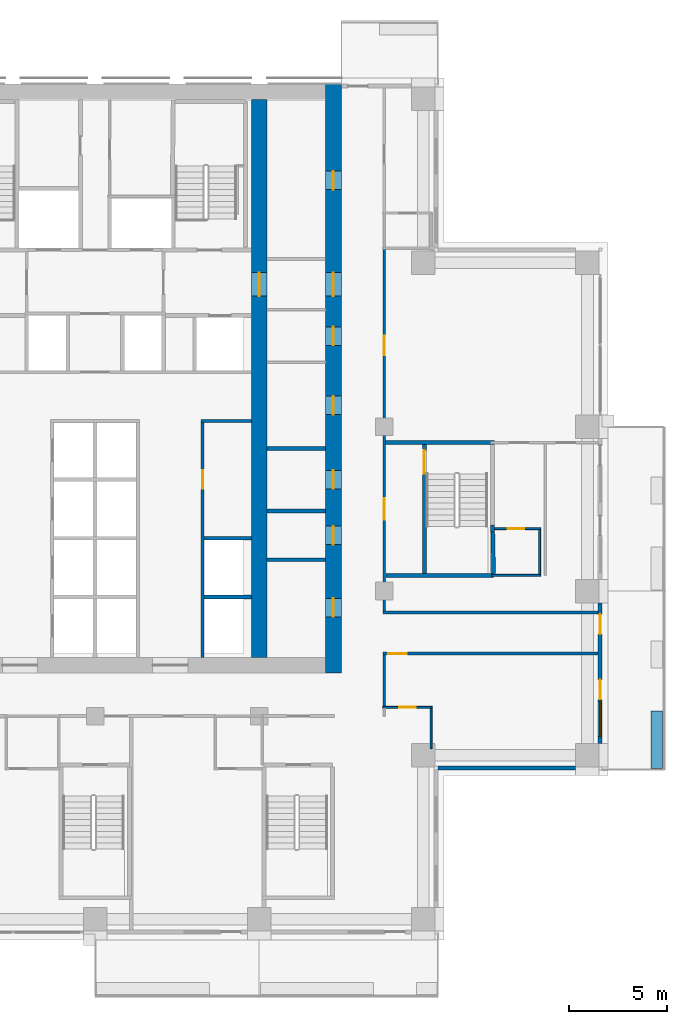
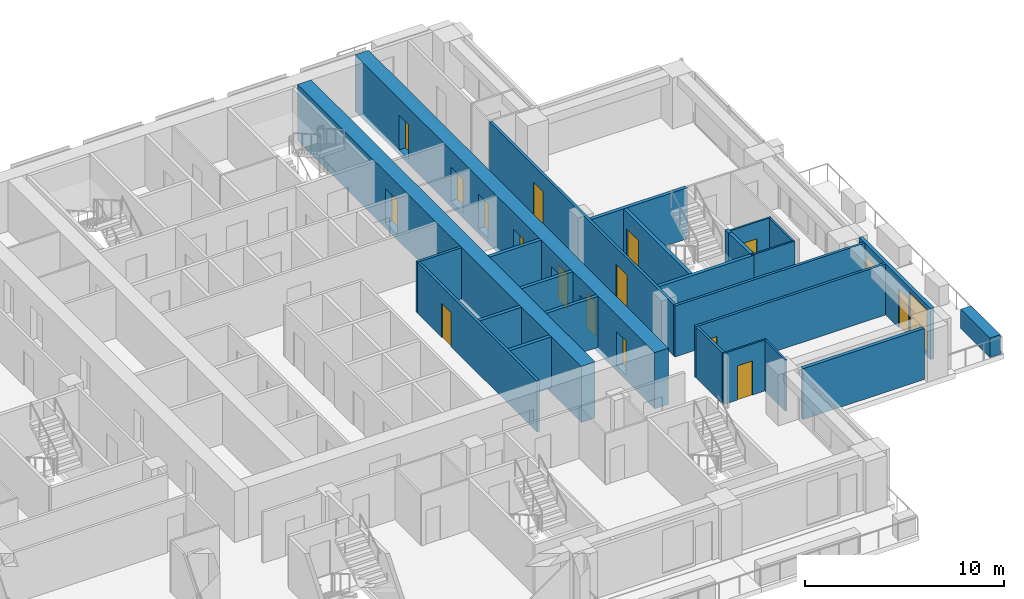
# One storey, part 11 of 18: 26 walls, 17 doors, 1 window, 18 openings.
"""IFC4 building model written with IfcOpenShell, lengths in metres."""

from ifc_helpers import new_model, si_unit, direction, frame, frame_2d, origin, place, context, subcontext, project, spatial, rectangle, extrude, material, layer, layer_set, type_object, element, fill, save


model = new_model("IFC4")

# Units and contexts
model_context = context("Model", 3, precision=1e-05, world=origin(), true_north=direction((0.0, 1.0)))
body_context = subcontext(model_context, "Body", "Model", "MODEL_VIEW")
ifc_project = project(units=[si_unit("LENGTHUNIT", "METRE"), si_unit("AREAUNIT", "SQUARE_METRE"), si_unit("VOLUMEUNIT", "CUBIC_METRE"), si_unit("PLANEANGLEUNIT", "RADIAN"), si_unit("MASSUNIT", "GRAM", prefix="KILO")], contexts=[model_context])

# Site, building, storey
site_placement = place(None, origin())
site = spatial("IfcSite", under=ifc_project, at=site_placement, CompositionType="ELEMENT")
building_placement = place(site_placement, origin())
building = spatial("IfcBuilding", under=site, at=building_placement, Name="Vermilion Ogive Tower", CompositionType="ELEMENT")
storey_placement = place(building_placement, frame((0.0, 0.0, 108.0)))
storey = spatial("IfcBuildingStorey", under=building, at=storey_placement, Name="L27", CompositionType="ELEMENT", Elevation=108.0)

# Wall, openings, doors
ifc_material_1 = material(Name="Concrete B80", Category="concrete")
ifc_layer_1 = layer(ifc_material_1, 0.800048828125)
ifc_layer_set_1 = layer_set([ifc_layer_1], Name="Core wall 800 B80")
wall_type_1 = type_object("IfcWallType", Name="Core wall 800 B80", PredefinedType="SHEAR", material=ifc_layer_set_1)
wall_1_placement = place(storey_placement, frame((12.199951171875, -8.39990234375, -0.320068359375), z_axis=(0.0, 0.0, 1.0), x_axis=(0.0, 1.0, 0.0)))
wall_1 = element("IfcWall", 1, at=wall_1_placement, inside=storey, type_object=wall_type_1, Name="L27-CORE-E", PredefinedType="SHEAR", context=body_context, shape_type="SweptSolid", body=[
    extrude(rectangle(XDim=30.14990234375, YDim=0.800048828125, at=frame_2d((15.074951171875, 0.0))), origin(), (0.0, 0.0, 1.0), 3.449951171875),
])
opening_1_placement = place(wall_1_placement, frame((2.875, 0.0, 0.320068359375)))
opening_1 = element("IfcOpeningElement", 2, at=opening_1_placement, cuts=wall_1, Name="Opening DAC050", PredefinedType="OPENING", context=body_context, shape_type="SweptSolid", body=[
    extrude(rectangle(XDim=0.949951171875, YDim=2.10009765625, at=frame_2d((0.47509765625, 1.050048828125))), frame((0.0, 0.409912109375, 0.0), z_axis=(0.0, -1.0, 0.0), x_axis=(1.0, 0.0, 0.0)), (0.0, 0.0, 1.0), 0.820068359375),
])
opening_2_placement = place(wall_1_placement, frame((6.574951171875, 0.0, 0.320068359375)))
opening_2 = element("IfcOpeningElement", 3, at=opening_2_placement, cuts=wall_1, Name="Opening DAC051", PredefinedType="OPENING", context=body_context, shape_type="SweptSolid", body=[
    extrude(rectangle(XDim=0.949951171875, YDim=2.10009765625, at=frame_2d((0.47509765625, 1.050048828125))), frame((0.0, 0.409912109375, 0.0), z_axis=(0.0, -1.0, 0.0), x_axis=(1.0, 0.0, 0.0)), (0.0, 0.0, 1.0), 0.820068359375),
])
opening_3_placement = place(wall_1_placement, frame((9.425048828125, 0.0, 0.320068359375)))
opening_3 = element("IfcOpeningElement", 4, at=opening_3_placement, cuts=wall_1, Name="Opening DAC052", PredefinedType="OPENING", context=body_context, shape_type="SweptSolid", body=[
    extrude(rectangle(XDim=0.949951171875, YDim=2.10009765625, at=frame_2d((0.47509765625, 1.050048828125))), frame((0.0, 0.409912109375, 0.0), z_axis=(0.0, -1.0, 0.0), x_axis=(1.0, 0.0, 0.0)), (0.0, 0.0, 1.0), 0.820068359375),
])
opening_4_placement = place(wall_1_placement, frame((13.22509765625, 0.0, 0.320068359375)))
opening_4 = element("IfcOpeningElement", 5, at=opening_4_placement, cuts=wall_1, Name="Opening DAC053", PredefinedType="OPENING", context=body_context, shape_type="SweptSolid", body=[
    extrude(rectangle(XDim=0.949951171875, YDim=2.10009765625, at=frame_2d((0.47509765625, 1.050048828125))), frame((0.0, 0.409912109375, 0.0), z_axis=(0.0, -1.0, 0.0), x_axis=(1.0, 0.0, 0.0)), (0.0, 0.0, 1.0), 0.820068359375),
])
opening_5_placement = place(wall_1_placement, frame((16.77490234375, 0.0, 0.320068359375)))
opening_5 = element("IfcOpeningElement", 6, at=opening_5_placement, cuts=wall_1, Name="Opening DAC054", PredefinedType="OPENING", context=body_context, shape_type="SweptSolid", body=[
    extrude(rectangle(XDim=0.949951171875, YDim=2.10009765625, at=frame_2d((0.47509765625, 1.050048828125))), frame((0.0, 0.409912109375, 0.0), z_axis=(0.0, -1.0, 0.0), x_axis=(1.0, 0.0, 0.0)), (0.0, 0.0, 1.0), 0.820068359375),
])
opening_6_placement = place(wall_1_placement, frame((24.75, 0.0, 0.320068359375)))
opening_6 = element("IfcOpeningElement", 7, at=opening_6_placement, cuts=wall_1, Name="Opening DAC055", PredefinedType="OPENING", context=body_context, shape_type="SweptSolid", body=[
    extrude(rectangle(XDim=0.949951171875, YDim=2.10009765625, at=frame_2d((0.47509765625, 1.050048828125))), frame((0.0, 0.409912109375, 0.0), z_axis=(0.0, -1.0, 0.0), x_axis=(1.0, 0.0, 0.0)), (0.0, 0.0, 1.0), 0.820068359375),
])
opening_7_placement = place(wall_1_placement, frame((19.300048828125, 0.0, 0.320068359375)))
opening_7 = element("IfcOpeningElement", 8, at=opening_7_placement, cuts=wall_1, Name="Opening DAL010", PredefinedType="OPENING", context=body_context, shape_type="SweptSolid", body=[
    extrude(rectangle(XDim=1.199951171875, YDim=2.10009765625, at=frame_2d((0.60009765625, 1.050048828125))), frame((0.0, 0.409912109375, 0.0), z_axis=(0.0, -1.0, 0.0), x_axis=(1.0, 0.0, 0.0)), (0.0, 0.0, 1.0), 0.820068359375),
])
ifc_material_2 = material(Name="Timber door leaf", Category="wood")
door_type_1 = type_object("IfcDoorType", Name="Link door 1200 x 2100 FD60S", OperationType="SINGLE_SWING_LEFT", PredefinedType="DOOR", material=ifc_material_2)
door_1_placement = place(opening_7_placement, origin())
door_1 = element("IfcDoor", 9, at=door_1_placement, inside=storey, type_object=door_type_1, Name="L27-CKE-XL", OperationType="SINGLE_SWING_LEFT", OverallHeight=2.10009765625, OverallWidth=1.199951171875, PredefinedType="DOOR", context=body_context, shape_type="SweptSolid", body=[
    extrude(rectangle(XDim=1.199951171875, YDim=2.10009765625, at=frame_2d((0.60009765625, 1.050048828125))), frame((0.0, 0.02490234375, 0.0), z_axis=(0.0, -1.0, 0.0), x_axis=(1.0, 0.0, 0.0)), (0.0, 0.0, 1.0), 0.050048828125),
])
fill(opening_7, door_1)
ifc_material_3 = material(Name="Timber door leaf", Category="wood")
door_type_2 = type_object("IfcDoorType", Name="Service door 950 x 2100 FD60", OperationType="SINGLE_SWING_LEFT", PredefinedType="DOOR", material=ifc_material_3)
door_2_placement = place(opening_1_placement, origin())
door_2 = element("IfcDoor", 10, at=door_2_placement, inside=storey, type_object=door_type_2, Name="L27-CKE-XR0", OperationType="SINGLE_SWING_LEFT", OverallHeight=2.10009765625, OverallWidth=0.949951171875, PredefinedType="DOOR", context=body_context, shape_type="SweptSolid", body=[
    extrude(rectangle(XDim=0.949951171875, YDim=2.10009765625, at=frame_2d((0.47509765625, 1.050048828125))), frame((0.0, 0.02490234375, 0.0), z_axis=(0.0, -1.0, 0.0), x_axis=(1.0, 0.0, 0.0)), (0.0, 0.0, 1.0), 0.050048828125),
])
fill(opening_1, door_2)
door_3_placement = place(opening_2_placement, origin())
door_3 = element("IfcDoor", 11, at=door_3_placement, inside=storey, type_object=door_type_2, Name="L27-CKE-XR1", OperationType="SINGLE_SWING_LEFT", OverallHeight=2.10009765625, OverallWidth=0.949951171875, PredefinedType="DOOR", context=body_context, shape_type="SweptSolid", body=[
    extrude(rectangle(XDim=0.949951171875, YDim=2.10009765625, at=frame_2d((0.47509765625, 1.050048828125))), frame((0.0, 0.02490234375, 0.0), z_axis=(0.0, -1.0, 0.0), x_axis=(1.0, 0.0, 0.0)), (0.0, 0.0, 1.0), 0.050048828125),
])
fill(opening_2, door_3)
door_4_placement = place(opening_3_placement, origin())
door_4 = element("IfcDoor", 12, at=door_4_placement, inside=storey, type_object=door_type_2, Name="L27-CKE-XR2", OperationType="SINGLE_SWING_LEFT", OverallHeight=2.10009765625, OverallWidth=0.949951171875, PredefinedType="DOOR", context=body_context, shape_type="SweptSolid", body=[
    extrude(rectangle(XDim=0.949951171875, YDim=2.10009765625, at=frame_2d((0.47509765625, 1.050048828125))), frame((0.0, 0.02490234375, 0.0), z_axis=(0.0, -1.0, 0.0), x_axis=(1.0, 0.0, 0.0)), (0.0, 0.0, 1.0), 0.050048828125),
])
fill(opening_3, door_4)
door_5_placement = place(opening_4_placement, origin())
door_5 = element("IfcDoor", 13, at=door_5_placement, inside=storey, type_object=door_type_2, Name="L27-CKE-XR3", OperationType="SINGLE_SWING_LEFT", OverallHeight=2.10009765625, OverallWidth=0.949951171875, PredefinedType="DOOR", context=body_context, shape_type="SweptSolid", body=[
    extrude(rectangle(XDim=0.949951171875, YDim=2.10009765625, at=frame_2d((0.47509765625, 1.050048828125))), frame((0.0, 0.02490234375, 0.0), z_axis=(0.0, -1.0, 0.0), x_axis=(1.0, 0.0, 0.0)), (0.0, 0.0, 1.0), 0.050048828125),
])
fill(opening_4, door_5)
door_6_placement = place(opening_5_placement, origin())
door_6 = element("IfcDoor", 14, at=door_6_placement, inside=storey, type_object=door_type_2, Name="L27-CKE-XR4", OperationType="SINGLE_SWING_LEFT", OverallHeight=2.10009765625, OverallWidth=0.949951171875, PredefinedType="DOOR", context=body_context, shape_type="SweptSolid", body=[
    extrude(rectangle(XDim=0.949951171875, YDim=2.10009765625, at=frame_2d((0.47509765625, 1.050048828125))), frame((0.0, 0.02490234375, 0.0), z_axis=(0.0, -1.0, 0.0), x_axis=(1.0, 0.0, 0.0)), (0.0, 0.0, 1.0), 0.050048828125),
])
fill(opening_5, door_6)
door_7_placement = place(opening_6_placement, origin())
door_7 = element("IfcDoor", 15, at=door_7_placement, inside=storey, type_object=door_type_2, Name="L27-CKE-XR5", OperationType="SINGLE_SWING_LEFT", OverallHeight=2.10009765625, OverallWidth=0.949951171875, PredefinedType="DOOR", context=body_context, shape_type="SweptSolid", body=[
    extrude(rectangle(XDim=0.949951171875, YDim=2.10009765625, at=frame_2d((0.47509765625, 1.050048828125))), frame((0.0, 0.02490234375, 0.0), z_axis=(0.0, -1.0, 0.0), x_axis=(1.0, 0.0, 0.0)), (0.0, 0.0, 1.0), 0.050048828125),
])
fill(opening_6, door_7)

# Wall, opening, door
wall_2_placement = place(storey_placement, frame((8.39990234375, -7.60009765625, -0.320068359375), z_axis=(0.0, 0.0, 1.0), x_axis=(0.0, 1.0, 0.0)))
wall_2 = element("IfcWall", 16, at=wall_2_placement, inside=storey, type_object=wall_type_1, Name="L27-CORE-WEB2", PredefinedType="SHEAR", context=body_context, shape_type="SweptSolid", body=[
    extrude(rectangle(XDim=28.550048828125, YDim=0.800048828125, at=frame_2d((14.27490234375, 0.0))), origin(), (0.0, 0.0, 1.0), 3.449951171875),
])
opening_8_placement = place(wall_2_placement, frame((18.5, 0.0, 0.320068359375)))
opening_8 = element("IfcOpeningElement", 17, at=opening_8_placement, cuts=wall_2, Name="Opening DAO010", PredefinedType="OPENING", context=body_context, shape_type="SweptSolid", body=[
    extrude(rectangle(XDim=1.199951171875, YDim=2.10009765625, at=frame_2d((0.60009765625, 1.050048828125))), frame((0.0, 0.409912109375, 0.0), z_axis=(0.0, -1.0, 0.0), x_axis=(1.0, 0.0, 0.0)), (0.0, 0.0, 1.0), 0.820068359375),
])
door_8_placement = place(opening_8_placement, origin())
door_8 = element("IfcDoor", 18, at=door_8_placement, inside=storey, type_object=door_type_1, Name="L27-CKE-XW", OperationType="SINGLE_SWING_LEFT", OverallHeight=2.10009765625, OverallWidth=1.199951171875, PredefinedType="DOOR", context=body_context, shape_type="SweptSolid", body=[
    extrude(rectangle(XDim=1.199951171875, YDim=2.10009765625, at=frame_2d((0.60009765625, 1.050048828125))), frame((0.0, 0.02490234375, 0.0), z_axis=(0.0, -1.0, 0.0), x_axis=(1.0, 0.0, 0.0)), (0.0, 0.0, 1.0), 0.050048828125),
])
fill(opening_8, door_8)

ifc_material_4 = material(Name="Gypsum board partition on steel studs", Category="steel")
ifc_layer_2 = layer(ifc_material_4, 0.10009765625)
ifc_layer_set_2 = layer_set([ifc_layer_2], Name="Partition 100 bath")
wall_type_2 = type_object("IfcWallType", Name="Partition 100 bath", PredefinedType="PARTITIONING", material=ifc_layer_set_2)
wall_3_placement = place(storey_placement, frame((14.72509765625, -10.159912109375, 0.0), z_axis=(0.0, 0.0, 1.0), x_axis=(1.0, 0.0, 0.0)))
wall_3 = element("IfcWall", 19, at=wall_3_placement, inside=storey, type_object=wall_type_2, Name="L27-W-W013", PredefinedType="PARTITIONING", context=body_context, shape_type="SweptSolid", body=[
    extrude(rectangle(XDim=2.52490234375, YDim=0.10009765625, at=frame_2d((1.262451171875, 0.0))), origin(), (0.0, 0.0, 1.0), 3.1298828125),
])
opening_9_placement = place(wall_3_placement, frame((0.849853515625, 0.0, 0.0)))
opening_9 = element("IfcOpeningElement", 20, at=opening_9_placement, cuts=wall_3, Name="Opening D2G4014", PredefinedType="OPENING", context=body_context, shape_type="SweptSolid", body=[
    extrude(rectangle(XDim=0.85009765625, YDim=2.10009765625, at=frame_2d((0.425048828125, 1.050048828125))), frame((0.0, 0.06005859375, 0.0), z_axis=(0.0, -1.0, 0.0), x_axis=(1.0, 0.0, 0.0)), (0.0, 0.0, 1.0), 0.1201171875),
])
ifc_material_5 = material(Name="Timber door leaf", Category="wood")
door_type_3 = type_object("IfcDoorType", Name="Bath door 850 x 2100 FD30", OperationType="SINGLE_SWING_LEFT", PredefinedType="DOOR", material=ifc_material_5)
door_9_placement = place(opening_9_placement, origin())
door_9 = element("IfcDoor", 21, at=door_9_placement, inside=storey, type_object=door_type_3, Name="L27-D-D014", OperationType="SINGLE_SWING_RIGHT", OverallHeight=2.10009765625, OverallWidth=0.85009765625, PredefinedType="DOOR", context=body_context, shape_type="SweptSolid", body=[
    extrude(rectangle(XDim=0.85009765625, YDim=2.10009765625, at=frame_2d((0.425048828125, 1.050048828125))), frame((0.0, 0.02490234375, 0.0), z_axis=(0.0, -1.0, 0.0), x_axis=(1.0, 0.0, 0.0)), (0.0, 0.0, 1.0), 0.050048828125),
])
fill(opening_9, door_9)

# Wall
wall_4_placement = place(storey_placement, frame((20.300048828125, -3.39990234375, 0.0), z_axis=(0.0, 0.0, 1.0), x_axis=(1.0, 0.0, 0.0)))
element("IfcWall", 22, at=wall_4_placement, inside=storey, type_object=wall_type_2, Name="L27-W-W021", PredefinedType="PARTITIONING", context=body_context, shape_type="SweptSolid", body=[
    extrude(rectangle(XDim=2.5, YDim=0.10009765625, at=frame_2d((1.25, 0.0))), origin(), (0.0, 0.0, 1.0), 3.1298828125),
])

# Wall, opening, door
wall_5_placement = place(storey_placement, frame((20.449951171875, -1.0, 0.0), z_axis=(0.0, 0.0, 1.0), x_axis=(1.0, 0.0, 0.0)))
wall_5 = element("IfcWall", 23, at=wall_5_placement, inside=storey, type_object=wall_type_2, Name="L27-W-W022", PredefinedType="PARTITIONING", context=body_context, shape_type="SweptSolid", body=[
    extrude(rectangle(XDim=2.35009765625, YDim=0.10009765625, at=frame_2d((1.175048828125, 0.0))), origin(), (0.0, 0.0, 1.0), 3.1298828125),
])
opening_10_placement = place(wall_5_placement, frame((0.675048828125, 0.0, 0.0)))
opening_10 = element("IfcOpeningElement", 24, at=opening_10_placement, cuts=wall_5, Name="Opening D2G4018", PredefinedType="OPENING", context=body_context, shape_type="SweptSolid", body=[
    extrude(rectangle(XDim=0.85009765625, YDim=2.10009765625, at=frame_2d((0.425048828125, 1.050048828125))), frame((0.0, 0.06005859375, 0.0), z_axis=(0.0, -1.0, 0.0), x_axis=(1.0, 0.0, 0.0)), (0.0, 0.0, 1.0), 0.1201171875),
])
door_10_placement = place(opening_10_placement, origin())
door_10 = element("IfcDoor", 25, at=door_10_placement, inside=storey, type_object=door_type_3, Name="L27-D-D018", OperationType="SINGLE_SWING_RIGHT", OverallHeight=2.10009765625, OverallWidth=0.85009765625, PredefinedType="DOOR", context=body_context, shape_type="SweptSolid", body=[
    extrude(rectangle(XDim=0.85009765625, YDim=2.10009765625, at=frame_2d((0.425048828125, 1.050048828125))), frame((0.0, 0.02490234375, 0.0), z_axis=(0.0, -1.0, 0.0), x_axis=(1.0, 0.0, 0.0)), (0.0, 0.0, 1.0), 0.050048828125),
])
fill(opening_10, door_10)

# Walls
wall_6_placement = place(storey_placement, frame((17.199951171875, -12.260009765625, 0.0), z_axis=(0.0, 0.0, 1.0), x_axis=(0.0, 1.0, 0.0)))
element("IfcWall", 26, at=wall_6_placement, inside=storey, type_object=wall_type_2, Name="L27-W-W059", PredefinedType="PARTITIONING", context=body_context, shape_type="SweptSolid", body=[
    extrude(rectangle(XDim=2.050048828125, YDim=0.10009765625, at=frame_2d((1.02490234375, 0.0))), origin(), (0.0, 0.0, 1.0), 3.1298828125),
])
wall_7_placement = place(storey_placement, frame((22.75, -3.35009765625, 0.0), z_axis=(0.0, 0.0, 1.0), x_axis=(0.0, 1.0, 0.0)))
element("IfcWall", 27, at=wall_7_placement, inside=storey, type_object=wall_type_2, Name="L27-W-W063", PredefinedType="PARTITIONING", context=body_context, shape_type="SweptSolid", body=[
    extrude(rectangle(XDim=2.300048828125, YDim=0.10009765625, at=frame_2d((1.14990234375, 0.0))), origin(), (0.0, 0.0, 1.0), 3.1298828125),
])

# Wall, opening, door
ifc_material_6 = material(Name="Gypsum board partition on steel studs", Category="steel")
ifc_layer_3 = layer(ifc_material_6, 0.14990234375)
ifc_layer_set_3 = layer_set([ifc_layer_3], Name="Partition 150 corridor")
wall_type_3 = type_object("IfcWallType", Name="Partition 150 corridor", PredefinedType="PARTITIONING", material=ifc_layer_set_3)
wall_8_placement = place(storey_placement, frame((14.72509765625, -7.39990234375, 0.0), z_axis=(0.0, 0.0, 1.0), x_axis=(1.0, 0.0, 0.0)))
wall_8 = element("IfcWall", 28, at=wall_8_placement, inside=storey, type_object=wall_type_3, Name="L27-W-W015", PredefinedType="PARTITIONING", context=body_context, shape_type="SweptSolid", body=[
    extrude(rectangle(XDim=11.02490234375, YDim=0.14990234375, at=frame_2d((5.512451171875, 0.0))), origin(), (0.0, 0.0, 1.0), 3.1298828125),
])
opening_11_placement = place(wall_8_placement, frame((0.27490234375, 0.0, 0.0)))
opening_11 = element("IfcOpeningElement", 29, at=opening_11_placement, cuts=wall_8, Name="Opening D2G4013", PredefinedType="OPENING", context=body_context, shape_type="SweptSolid", body=[
    extrude(rectangle(XDim=0.949951171875, YDim=2.10009765625, at=frame_2d((0.47509765625, 1.050048828125))), frame((0.0, 0.0849609375, 0.0), z_axis=(0.0, -1.0, 0.0), x_axis=(1.0, 0.0, 0.0)), (0.0, 0.0, 1.0), 0.169921875),
])
ifc_material_7 = material(Name="Timber door leaf", Category="wood")
door_type_4 = type_object("IfcDoorType", Name="Unit door 950 x 2100 FD30S", OperationType="SINGLE_SWING_LEFT", PredefinedType="DOOR", material=ifc_material_7)
door_11_placement = place(opening_11_placement, origin())
door_11 = element("IfcDoor", 30, at=door_11_placement, inside=storey, type_object=door_type_4, Name="L27-D-D013", OperationType="SINGLE_SWING_RIGHT", OverallHeight=2.10009765625, OverallWidth=0.949951171875, PredefinedType="DOOR", context=body_context, shape_type="SweptSolid", body=[
    extrude(rectangle(XDim=0.949951171875, YDim=2.10009765625, at=frame_2d((0.47509765625, 1.050048828125))), frame((0.0, 0.02490234375, 0.0), z_axis=(0.0, -1.0, 0.0), x_axis=(1.0, 0.0, 0.0)), (0.0, 0.0, 1.0), 0.050048828125),
])
fill(opening_11, door_11)

# Walls
wall_9_placement = place(storey_placement, frame((14.72705078125, -5.300048828125, 0.0), z_axis=(0.0, 0.0, 1.0), x_axis=(1.0, 0.0, 0.0)))
element("IfcWall", 31, at=wall_9_placement, inside=storey, type_object=wall_type_3, Name="L27-W-W017", PredefinedType="PARTITIONING", context=body_context, shape_type="SweptSolid", body=[
    extrude(rectangle(XDim=11.02294921875, YDim=0.14990234375, at=frame_2d((5.511474609375, 0.0))), origin(), (0.0, 0.0, 1.0), 3.1298828125),
])
wall_10_placement = place(storey_placement, frame((14.800048828125, -10.110107421875, 0.0), z_axis=(0.0, 0.0, 1.0), x_axis=(0.0, 1.0, 0.0)))
element("IfcWall", 32, at=wall_10_placement, inside=storey, type_object=wall_type_3, Name="L27-W-W054", PredefinedType="PARTITIONING", context=body_context, shape_type="SweptSolid", body=[
    extrude(rectangle(XDim=2.635009765625, YDim=0.14990234375, at=frame_2d((1.3173828125, 0.0))), origin(), (0.0, 0.0, 1.0), 3.1298828125),
])

# Wall, openings, doors
wall_11_placement = place(storey_placement, frame((14.800048828125, -5.222900390625, 0.0), z_axis=(0.0, 0.0, 1.0), x_axis=(0.0, 1.0, 0.0)))
wall_11 = element("IfcWall", 33, at=wall_11_placement, inside=storey, type_object=wall_type_3, Name="L27-W-W055", PredefinedType="PARTITIONING", context=body_context, shape_type="SweptSolid", body=[
    extrude(rectangle(XDim=18.52294921875, YDim=0.14990234375, at=frame_2d((9.261474609375, 0.0))), origin(), (0.0, 0.0, 1.0), 3.1298828125),
])
opening_12_placement = place(wall_11_placement, frame((13.097900390625, 0.0, 0.0)))
opening_12 = element("IfcOpeningElement", 34, at=opening_12_placement, cuts=wall_11, Name="Opening D2G4016", PredefinedType="OPENING", context=body_context, shape_type="SweptSolid", body=[
    extrude(rectangle(XDim=1.0, YDim=2.10009765625, at=frame_2d((0.5, 1.050048828125))), frame((0.0, 0.0849609375, 0.0), z_axis=(0.0, -1.0, 0.0), x_axis=(1.0, 0.0, 0.0)), (0.0, 0.0, 1.0), 0.169921875),
])
opening_13_placement = place(wall_11_placement, frame((4.6728515625, 0.0, 0.0)))
opening_13 = element("IfcOpeningElement", 35, at=opening_13_placement, cuts=wall_11, Name="Opening D2G4027", PredefinedType="OPENING", context=body_context, shape_type="SweptSolid", body=[
    extrude(rectangle(XDim=1.10009765625, YDim=2.10009765625, at=frame_2d((0.550048828125, 1.050048828125))), frame((0.0, 0.0849609375, 0.0), z_axis=(0.0, -1.0, 0.0), x_axis=(1.0, 0.0, 0.0)), (0.0, 0.0, 1.0), 0.169921875),
])
ifc_material_8 = material(Name="Timber door leaf", Category="wood")
door_type_5 = type_object("IfcDoorType", Name="Stair door 1100 x 2100 FD60S", OperationType="SINGLE_SWING_LEFT", PredefinedType="DOOR", material=ifc_material_8)
door_12_placement = place(opening_13_placement, origin())
door_12 = element("IfcDoor", 36, at=door_12_placement, inside=storey, type_object=door_type_5, Name="L27-D-D027", OperationType="SINGLE_SWING_RIGHT", OverallHeight=2.10009765625, OverallWidth=1.10009765625, PredefinedType="DOOR", context=body_context, shape_type="SweptSolid", body=[
    extrude(rectangle(XDim=1.10009765625, YDim=2.10009765625, at=frame_2d((0.550048828125, 1.050048828125))), frame((0.0, 0.02490234375, 0.0), z_axis=(0.0, -1.0, 0.0), x_axis=(1.0, 0.0, 0.0)), (0.0, 0.0, 1.0), 0.050048828125),
])
fill(opening_13, door_12)
ifc_material_9 = material(Name="Timber door leaf", Category="wood")
door_type_6 = type_object("IfcDoorType", Name="Unit door 1000 x 2100 FD30S", OperationType="SINGLE_SWING_LEFT", PredefinedType="DOOR", material=ifc_material_9)
door_13_placement = place(opening_12_placement, origin())
door_13 = element("IfcDoor", 37, at=door_13_placement, inside=storey, type_object=door_type_6, Name="L27-D-D016", OperationType="SINGLE_SWING_RIGHT", OverallHeight=2.10009765625, OverallWidth=1.0, PredefinedType="DOOR", context=body_context, shape_type="SweptSolid", body=[
    extrude(rectangle(XDim=1.0, YDim=2.10009765625, at=frame_2d((0.5, 1.050048828125))), frame((0.0, 0.02490234375, 0.0), z_axis=(0.0, -1.0, 0.0), x_axis=(1.0, 0.0, 0.0)), (0.0, 0.0, 1.0), 0.050048828125),
])
fill(opening_12, door_13)

# Wall
wall_12_placement = place(storey_placement, frame((5.425048828125, 4.5, 0.0), z_axis=(0.0, 0.0, 1.0), x_axis=(1.0, 0.0, 0.0)))
element("IfcWall", 38, at=wall_12_placement, inside=storey, type_object=wall_type_3, Name="L27-CK-W-W011", PredefinedType="PARTITIONING", context=body_context, shape_type="SweptSolid", body=[
    extrude(rectangle(XDim=2.573974609375, YDim=0.14990234375, at=frame_2d((1.287109375, 0.0))), origin(), (0.0, 0.0, 1.0), 3.1298828125),
])

# Wall, opening, door
wall_13_placement = place(storey_placement, frame((5.5, -7.59912109375, 0.0), z_axis=(0.0, 0.0, 1.0), x_axis=(0.0, 1.0, 0.0)))
wall_13 = element("IfcWall", 39, at=wall_13_placement, inside=storey, type_object=wall_type_3, Name="L27-CK-W-W039", PredefinedType="PARTITIONING", context=body_context, shape_type="SweptSolid", body=[
    extrude(rectangle(XDim=12.024169921875, YDim=0.14990234375, at=frame_2d((6.01220703125, 0.0))), origin(), (0.0, 0.0, 1.0), 3.1298828125),
])
opening_14_placement = place(wall_13_placement, frame((8.6240234375, 0.0, 0.0)))
opening_14 = element("IfcOpeningElement", 40, at=opening_14_placement, cuts=wall_13, Name="Opening DAA213", PredefinedType="OPENING", context=body_context, shape_type="SweptSolid", body=[
    extrude(rectangle(XDim=0.949951171875, YDim=2.10009765625, at=frame_2d((0.47509765625, 1.050048828125))), frame((0.0, 0.0849609375, 0.0), z_axis=(0.0, -1.0, 0.0), x_axis=(1.0, 0.0, 0.0)), (0.0, 0.0, 1.0), 0.169921875),
])
door_14_placement = place(opening_14_placement, origin())
door_14 = element("IfcDoor", 41, at=door_14_placement, inside=storey, type_object=door_type_2, Name="L27-CK-D-D009", OperationType="SINGLE_SWING_LEFT", OverallHeight=2.10009765625, OverallWidth=0.949951171875, PredefinedType="DOOR", context=body_context, shape_type="SweptSolid", body=[
    extrude(rectangle(XDim=0.949951171875, YDim=2.10009765625, at=frame_2d((0.47509765625, 1.050048828125))), frame((0.0, 0.02490234375, 0.0), z_axis=(0.0, -1.0, 0.0), x_axis=(1.0, 0.0, 0.0)), (0.0, 0.0, 1.0), 0.050048828125),
])
fill(opening_14, door_14)

# Walls
ifc_material_10 = material(Name="Gypsum board partition on steel studs", Category="steel")
ifc_layer_4 = layer(ifc_material_10, 0.199951171875)
ifc_layer_set_4 = layer_set([ifc_layer_4], Name="Partition 200 party")
wall_type_4 = type_object("IfcWallType", Name="Partition 200 party", PredefinedType="PARTITIONING", material=ifc_layer_set_4)
for number, where, z_axis, x_axis, name in (
    (42, (5.574951171875, -4.5, 0.0), (0.0, 0.0, 1.0), (1.0, 0.0, 0.0), "L27-CK-W-W003"),
    (43, (5.574951171875, -1.5, 0.0), (0.0, 0.0, 1.0), (1.0, 0.0, 0.0), "L27-CK-W-W006"),
):
    element("IfcWall", number, at=place(storey_placement, frame(where, z_axis=z_axis, x_axis=x_axis)), inside=storey, type_object=wall_type_4, Name=name, PredefinedType="PARTITIONING", context=body_context, shape_type="SweptSolid", body=[
        extrude(rectangle(XDim=2.424072265625, YDim=0.199951171875, at=frame_2d((1.2119140625, 0.0))), origin(), (0.0, 0.0, 1.0), 3.1298828125),
    ])
for number, where, z_axis, x_axis, name in (
    (44, (8.801025390625, -2.60009765625, 0.0), (0.0, 0.0, 1.0), (1.0, 0.0, 0.0), "L27-CKE-W-W001"),
    (45, (8.801025390625, -0.10009765625, 0.0), (0.0, 0.0, 1.0), (1.0, 0.0, 0.0), "L27-CKE-W-W002"),
    (46, (8.801025390625, 3.10009765625, 0.0), (0.0, 0.0, 1.0), (1.0, 0.0, 0.0), "L27-CKE-W-W003"),
):
    element("IfcWall", number, at=place(storey_placement, frame(where, z_axis=z_axis, x_axis=x_axis)), inside=storey, type_object=wall_type_4, Name=name, PredefinedType="PARTITIONING", context=body_context, shape_type="SweptSolid", body=[
        extrude(rectangle(XDim=2.998046875, YDim=0.199951171875, at=frame_2d((1.4990234375, 0.0))), origin(), (0.0, 0.0, 1.0), 3.1298828125),
    ])
ifc_material_11 = material(Name="Concrete B60", Category="concrete")
ifc_layer_5 = layer(ifc_material_11, 0.199951171875)
ifc_layer_set_5 = layer_set([ifc_layer_5], Name="Stair shaft wall 200 Concrete B60")
wall_type_5 = type_object("IfcWallType", Name="Stair shaft wall 200 Concrete B60", PredefinedType="SOLIDWALL", material=ifc_layer_set_5)
wall_14_placement = place(storey_placement, frame((14.876953125, -3.39990234375, 0.0), z_axis=(0.0, 0.0, 1.0), x_axis=(1.0, 0.0, 0.0)))
element("IfcWall", 47, at=wall_14_placement, inside=storey, type_object=wall_type_5, Name="L27-W-W020", PredefinedType="SOLIDWALL", context=body_context, shape_type="SweptSolid", body=[
    extrude(rectangle(XDim=5.52294921875, YDim=0.199951171875, at=frame_2d((2.761474609375, 0.0))), origin(), (0.0, 0.0, 1.0), 3.1298828125),
])
wall_15_placement = place(storey_placement, frame((14.875, 3.39990234375, 0.0), z_axis=(0.0, 0.0, 1.0), x_axis=(1.0, 0.0, 0.0)))
element("IfcWall", 48, at=wall_15_placement, inside=storey, type_object=wall_type_5, Name="L27-W-W026", PredefinedType="SOLIDWALL", context=body_context, shape_type="SweptSolid", body=[
    extrude(rectangle(XDim=5.574951171875, YDim=0.199951171875, at=frame_2d((2.78759765625, 0.0))), origin(), (0.0, 0.0, 1.0), 3.1298828125),
])

# Wall, opening, door
wall_16_placement = place(storey_placement, frame((16.85009765625, -3.300048828125, 0.0), z_axis=(0.0, 0.0, 1.0), x_axis=(0.0, 1.0, 0.0)))
wall_16 = element("IfcWall", 49, at=wall_16_placement, inside=storey, type_object=wall_type_5, Name="L27-W-W058", PredefinedType="SOLIDWALL", context=body_context, shape_type="SweptSolid", body=[
    extrude(rectangle(XDim=6.60009765625, YDim=0.199951171875, at=frame_2d((3.300048828125, 0.0))), origin(), (0.0, 0.0, 1.0), 3.1298828125),
])
opening_15_placement = place(wall_16_placement, frame((5.10009765625, 0.0, 0.0)))
opening_15 = element("IfcOpeningElement", 50, at=opening_15_placement, cuts=wall_16, Name="Opening D2G4028", PredefinedType="OPENING", context=body_context, shape_type="SweptSolid", body=[
    extrude(rectangle(XDim=1.199951171875, YDim=2.10009765625, at=frame_2d((0.60009765625, 1.050048828125))), frame((0.0, 0.10986328125, 0.0), z_axis=(0.0, -1.0, 0.0), x_axis=(1.0, 0.0, 0.0)), (0.0, 0.0, 1.0), 0.219970703125),
])
ifc_material_12 = material(Name="Timber door leaf", Category="wood")
door_type_7 = type_object("IfcDoorType", Name="Stair door 1200 x 2100 FD60S", OperationType="SINGLE_SWING_LEFT", PredefinedType="DOOR", material=ifc_material_12)
door_15_placement = place(opening_15_placement, origin())
door_15 = element("IfcDoor", 51, at=door_15_placement, inside=storey, type_object=door_type_7, Name="L27-D-D028", OperationType="SINGLE_SWING_LEFT", OverallHeight=2.10009765625, OverallWidth=1.199951171875, PredefinedType="DOOR", context=body_context, shape_type="SweptSolid", body=[
    extrude(rectangle(XDim=1.199951171875, YDim=2.10009765625, at=frame_2d((0.60009765625, 1.050048828125))), frame((0.0, 0.02490234375, 0.0), z_axis=(0.0, -1.0, 0.0), x_axis=(1.0, 0.0, 0.0)), (0.0, 0.0, 1.0), 0.050048828125),
])
fill(opening_15, door_15)

# Walls
wall_17_placement = place(storey_placement, frame((20.400146484375, -3.300048828125, 0.0), z_axis=(0.0, 0.0, 1.0), x_axis=(-0.021771342749, 0.999762976227, 0.0)))
element("IfcWall", 52, at=wall_17_placement, inside=storey, type_object=wall_type_5, Name="L27-W-W061", PredefinedType="SOLIDWALL", context=body_context, shape_type="SweptSolid", body=[
    extrude(rectangle(XDim=2.130615234375, YDim=0.199951171875, at=frame_2d((1.0654296875, 0.0))), origin(), (0.0, 0.0, 1.0), 3.1298828125),
])
wall_18_placement = place(storey_placement, frame((20.35009765625, -1.169921875, 0.0), z_axis=(0.0, 0.0, 1.0), x_axis=(0.0, 1.0, 0.0)))
element("IfcWall", 53, at=wall_18_placement, inside=storey, type_object=wall_type_5, Name="L27-SW-ST8-E1", PredefinedType="SOLIDWALL", context=body_context, shape_type="SweptSolid", body=[
    extrude(rectangle(XDim=0.33984375, YDim=0.199951171875, at=frame_2d((0.169921875, 0.0))), origin(), (0.0, 0.0, 1.0), 3.1298828125),
])
ifc_material_13 = material(Name="Concrete B40", Category="concrete")
ifc_layer_6 = layer(ifc_material_13, 0.60009765625)
ifc_layer_set_6 = layer_set([ifc_layer_6], Name="Structural planter")
wall_type_6 = type_object("IfcWallType", Name="Structural planter", PredefinedType="USERDEFINED", material=ifc_layer_set_6)
wall_19_placement = place(storey_placement, frame((28.75, -13.2900390625, -0.0400390625), z_axis=(0.0, 0.0, 1.0), x_axis=(0.0, 1.0, 0.0)))
element("IfcWall", 54, at=wall_19_placement, inside=storey, type_object=wall_type_6, Name="Planter E01A1", ObjectType="PLANTER", PredefinedType="USERDEFINED", context=body_context, shape_type="SweptSolid", body=[
    extrude(rectangle(XDim=2.93994140625, YDim=0.60009765625, at=frame_2d((1.469970703125, 0.0))), origin(), (0.0, 0.0, 1.0), 1.199951171875),
])
ifc_material_14 = material(Name="Aluminium window wall framing", Category="aluminium")
ifc_layer_7 = layer(ifc_material_14, 0.199951171875)
ifc_layer_set_7 = layer_set([ifc_layer_7], Name="Window wall")
wall_type_7 = type_object("IfcWallType", Name="Window wall", PredefinedType="STANDARD", material=ifc_layer_set_7)
wall_20_placement = place(storey_placement, frame((17.550048828125, -13.25, 0.0), z_axis=(0.0, 0.0, 1.0), x_axis=(1.0, 0.0, 0.0)))
element("IfcWall", 55, at=wall_20_placement, inside=storey, type_object=wall_type_7, Name="Window wall X21", PredefinedType="STANDARD", context=body_context, shape_type="SweptSolid", body=[
    extrude(rectangle(XDim=7.050048828125, YDim=0.199951171875, at=frame_2d((3.52490234375, 0.0))), origin(), (0.0, 0.0, 1.0), 3.1298828125),
])

# Wall, openings, doors, window
wall_21_placement = place(storey_placement, frame((25.85009765625, -12.0, 0.0), z_axis=(0.0, 0.0, 1.0), x_axis=(0.0, 1.0, 0.0)))
wall_21 = element("IfcWall", 56, at=wall_21_placement, inside=storey, type_object=wall_type_7, Name="Window wall E1", PredefinedType="STANDARD", context=body_context, shape_type="SweptSolid", body=[
    extrude(rectangle(XDim=7.199951171875, YDim=0.199951171875, at=frame_2d((3.60009765625, 0.0))), origin(), (0.0, 0.0, 1.0), 3.1298828125),
])
opening_16_placement = place(wall_21_placement, frame((0.35009765625, 0.0, 0.199951171875)))
opening_16 = element("IfcOpeningElement", 57, at=opening_16_placement, cuts=wall_21, Name="Opening W1-E97", PredefinedType="OPENING", context=body_context, shape_type="SweptSolid", body=[
    extrude(rectangle(XDim=1.800048828125, YDim=2.64990234375, at=frame_2d((0.89990234375, 1.324951171875))), frame((0.0, 0.10986328125, 0.0), z_axis=(0.0, -1.0, 0.0), x_axis=(1.0, 0.0, 0.0)), (0.0, 0.0, 1.0), 0.219970703125),
])
opening_17_placement = place(wall_21_placement, frame((2.25, 0.0, 0.0)))
opening_17 = element("IfcOpeningElement", 58, at=opening_17_placement, cuts=wall_21, Name="Opening D1-E97", PredefinedType="OPENING", context=body_context, shape_type="SweptSolid", body=[
    extrude(rectangle(XDim=1.0, YDim=2.39990234375, at=frame_2d((0.5, 1.199951171875))), frame((0.0, 0.10986328125, 0.0), z_axis=(0.0, -1.0, 0.0), x_axis=(1.0, 0.0, 0.0)), (0.0, 0.0, 1.0), 0.219970703125),
])
opening_18_placement = place(wall_21_placement, frame((5.60009765625, 0.0, 0.0)))
opening_18 = element("IfcOpeningElement", 59, at=opening_18_placement, cuts=wall_21, Name="Opening D1-E98", PredefinedType="OPENING", context=body_context, shape_type="SweptSolid", body=[
    extrude(rectangle(XDim=1.0, YDim=2.39990234375, at=frame_2d((0.5, 1.199951171875))), frame((0.0, 0.10986328125, 0.0), z_axis=(0.0, -1.0, 0.0), x_axis=(1.0, 0.0, 0.0)), (0.0, 0.0, 1.0), 0.219970703125),
])
ifc_material_15 = material(Name="Aluminium framed glazed door", Category="aluminium")
door_type_8 = type_object("IfcDoorType", Name="Balcony door D1", OperationType="SINGLE_SWING_LEFT", PredefinedType="DOOR", material=ifc_material_15)
door_16_placement = place(opening_17_placement, origin())
door_16 = element("IfcDoor", 60, at=door_16_placement, inside=storey, type_object=door_type_8, Name="Balcony door E97", OperationType="SINGLE_SWING_LEFT", OverallHeight=2.39990234375, OverallWidth=1.0, PredefinedType="DOOR", context=body_context, shape_type="SweptSolid", body=[
    extrude(rectangle(XDim=1.0, YDim=2.39990234375, at=frame_2d((0.5, 1.199951171875))), frame((0.0, 0.02490234375, 0.0), z_axis=(0.0, -1.0, 0.0), x_axis=(1.0, 0.0, 0.0)), (0.0, 0.0, 1.0), 0.050048828125),
])
fill(opening_17, door_16)
door_17_placement = place(opening_18_placement, origin())
door_17 = element("IfcDoor", 61, at=door_17_placement, inside=storey, type_object=door_type_8, Name="Balcony door E98", OperationType="SINGLE_SWING_LEFT", OverallHeight=2.39990234375, OverallWidth=1.0, PredefinedType="DOOR", context=body_context, shape_type="SweptSolid", body=[
    extrude(rectangle(XDim=1.0, YDim=2.39990234375, at=frame_2d((0.5, 1.199951171875))), frame((0.0, 0.02490234375, 0.0), z_axis=(0.0, -1.0, 0.0), x_axis=(1.0, 0.0, 0.0)), (0.0, 0.0, 1.0), 0.050048828125),
])
fill(opening_18, door_17)
ifc_material_16 = material(Name="Aluminium framed double glazing", Category="aluminium")
window_type = type_object("IfcWindowType", Name="Guest window W1", PartitioningType="SINGLE_PANEL", PredefinedType="WINDOW", material=ifc_material_16)
window_placement = place(opening_16_placement, origin())
window = element("IfcWindow", 62, at=window_placement, inside=storey, type_object=window_type, Name="Window E97", OverallHeight=2.64990234375, OverallWidth=1.800048828125, PartitioningType="SINGLE_PANEL", PredefinedType="WINDOW", context=body_context, shape_type="SweptSolid", body=[
    extrude(rectangle(XDim=1.800048828125, YDim=2.64990234375, at=frame_2d((0.89990234375, 1.324951171875))), frame((0.0, 0.030029296875, 0.0), z_axis=(0.0, -1.0, 0.0), x_axis=(1.0, 0.0, 0.0)), (0.0, 0.0, 1.0), 0.06005859375),
])
fill(opening_16, window)

save(model, "model.ifc")
